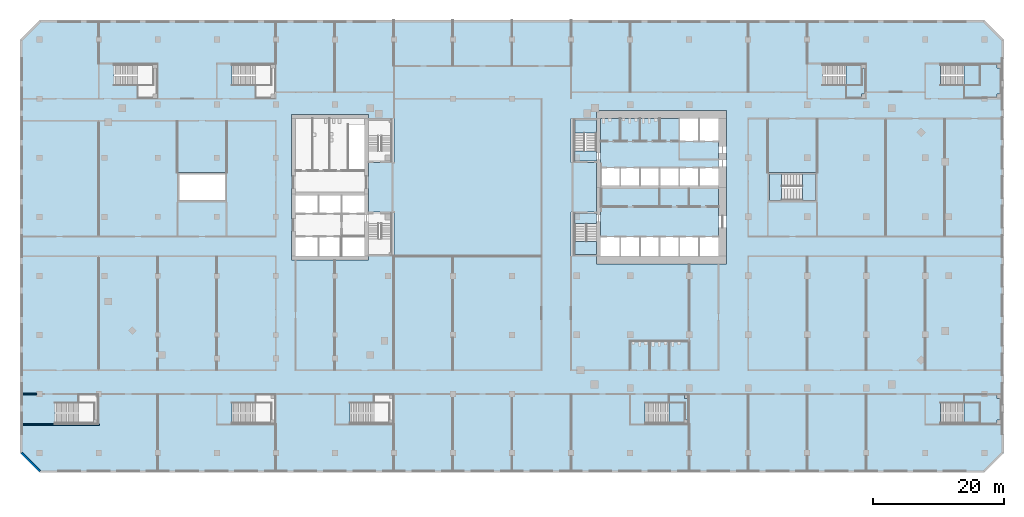
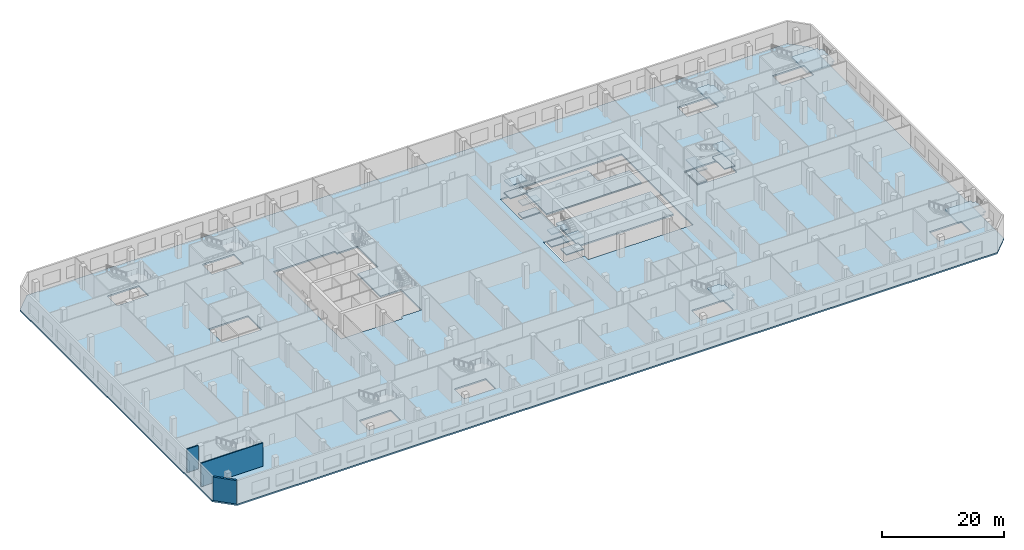
# One storey, part 3 of 21: 19 slabs, 3 walls, 7 elements without a shape of their own.
"""IFC4 building model written with IfcOpenShell, lengths in metres."""

from ifc_helpers import new_model, si_unit, direction, frame, frame_2d, origin, place, context, subcontext, project, spatial, polyline, rectangle, outline, extrude, material, layer, layer_set, type_object, element, aggregate, save


model = new_model("IFC4")

# Units and contexts
model_context = context("Model", 3, precision=1e-05, world=origin(), true_north=direction((0.0, 1.0)))
body_context = subcontext(model_context, "Body", "Model", "MODEL_VIEW")
ifc_project = project(units=[si_unit("LENGTHUNIT", "METRE"), si_unit("AREAUNIT", "SQUARE_METRE"), si_unit("VOLUMEUNIT", "CUBIC_METRE"), si_unit("PLANEANGLEUNIT", "RADIAN"), si_unit("MASSUNIT", "GRAM", prefix="KILO")], contexts=[model_context])

# Site, building, storey
site_placement = place(None, origin())
site = spatial("IfcSite", under=ifc_project, at=site_placement, CompositionType="ELEMENT")
building_placement = place(site_placement, origin())
building = spatial("IfcBuilding", under=site, at=building_placement, Name="Cinnabar Reach Civic Tower", CompositionType="ELEMENT")
storey_placement = place(building_placement, frame((0.0, 0.0, 11.0)))
storey = spatial("IfcBuildingStorey", under=building, at=storey_placement, Name="L02", CompositionType="ELEMENT", Elevation=11.0)

# Stair, slab
ifc_material_1 = material(Name="Concrete C35", Category="concrete")
stair_type_1 = type_object("IfcStairType", Name="Podium exit stair 1500", PredefinedType="HALF_TURN_STAIR", material=ifc_material_1)
stair_1_placement = place(storey_placement, origin())
stair_1 = element("IfcStair", 1, at=stair_1_placement, inside=storey, type_object=stair_type_1, Name="Stair PS3", PredefinedType="HALF_TURN_STAIR")
ifc_material_2 = material(Name="Concrete C35/45", Category="concrete")
ifc_layer_1 = layer(ifc_material_2, 0.25)
ifc_layer_set_1 = layer_set([ifc_layer_1], Name="Podium exit stair landing 250")
slab_type_1 = type_object("IfcSlabType", Name="Podium exit stair landing 250", PredefinedType="LANDING", material=ifc_layer_set_1)
slab_1_placement = place(storey_placement, frame((0.0, 0.0, 2.25)))
slab_1 = element("IfcSlab", 2, at=slab_1_placement, type_object=slab_type_1, Name="PS3 landing 1", PredefinedType="LANDING", context=body_context, shape_type="SweptSolid", body=[
    extrude(outline(polyline([(17.9, -3.95), (17.3, -3.95), (17.3, -4.55), (14.93, -4.55), (14.93, -0.1), (17.3, -0.1), (17.3, -0.7), (17.9, -0.7), (17.9, -3.95)])), origin(), (0.0, 0.0, 1.0), 0.25),
])
aggregate(stair_1, [slab_1])

stair_2_placement = place(storey_placement, origin())
stair_2 = element("IfcStair", 3, at=stair_2_placement, inside=storey, type_object=stair_type_1, Name="Stair PS4", PredefinedType="HALF_TURN_STAIR")
slab_2_placement = place(storey_placement, frame((0.0, 0.0, 2.25)))
slab_2 = element("IfcSlab", 4, at=slab_2_placement, type_object=slab_type_1, Name="PS4 landing 1", PredefinedType="LANDING", context=body_context, shape_type="SweptSolid", body=[
    extrude(outline(polyline([(65.5, -3.95), (64.9, -3.95), (64.9, -4.55), (59.93, -4.55), (59.93, -0.1), (64.9, -0.1), (64.9, -0.7), (65.5, -0.7), (65.5, -3.95)])), origin(), (0.0, 0.0, 1.0), 0.25),
])
aggregate(stair_2, [slab_2])

stair_3_placement = place(storey_placement, origin())
stair_3 = element("IfcStair", 5, at=stair_3_placement, inside=storey, type_object=stair_type_1, Name="Stair PS5", PredefinedType="HALF_TURN_STAIR")
slab_3_placement = place(storey_placement, frame((0.0, 0.0, 2.25)))
slab_3 = element("IfcSlab", 6, at=slab_3_placement, type_object=slab_type_1, Name="PS5 landing 1", PredefinedType="LANDING", context=body_context, shape_type="SweptSolid", body=[
    extrude(outline(polyline([(65.5, 45.7), (64.9, 45.7), (64.9, 45.1), (59.93, 45.1), (59.93, 50.25), (64.9, 50.25), (64.9, 49.65), (65.5, 49.65), (65.5, 45.7)])), origin(), (0.0, 0.0, 1.0), 0.25),
])
aggregate(stair_3, [slab_3])

stair_4_placement = place(storey_placement, origin())
stair_4 = element("IfcStair", 7, at=stair_4_placement, inside=storey, type_object=stair_type_1, Name="Stair PS6", PredefinedType="HALF_TURN_STAIR")
slab_4_placement = place(storey_placement, frame((0.0, 0.0, 2.25)))
slab_4 = element("IfcSlab", 8, at=slab_4_placement, type_object=slab_type_1, Name="PS6 landing 1", PredefinedType="LANDING", context=body_context, shape_type="SweptSolid", body=[
    extrude(outline(polyline([(44.9, 45.7), (44.3, 45.7), (44.3, 45.1), (41.93, 45.1), (41.93, 50.25), (44.3, 50.25), (44.3, 49.65), (44.9, 49.65), (44.9, 45.7)])), origin(), (0.0, 0.0, 1.0), 0.25),
])
aggregate(stair_4, [slab_4])

# Slab
ifc_material_3 = material(Name="Concrete C40", Category="concrete")
ifc_layer_2 = layer(ifc_material_3, 0.3)
ifc_layer_set_2 = layer_set([ifc_layer_2], Name="Podium flat plate 300 REI 150")
slab_type_2 = type_object("IfcSlabType", Name="Podium flat plate 300 REI 150", PredefinedType="FLOOR", material=ifc_layer_set_2)
slab_5_placement = place(storey_placement, frame((0.0, 0.0, -0.3)))
element("IfcSlab", 9, at=slab_5_placement, inside=storey, type_object=slab_type_2, Name="Podium flat plate 300 L02", PredefinedType="FLOOR", context=body_context, shape_type="SweptSolid", body=[
    extrude(outline(polyline([(-84.0, -9.0), (-84.0, 54.0), (-81.0, 57.0), (63.0, 57.0), (66.0, 54.0), (66.0, -9.0), (63.0, -12.0), (-81.0, -12.0), (-84.0, -9.0)]), holes=[polyline([(-78.7, -1.3), (-78.7, -4.5), (-72.7, -4.5), (-72.7, -1.3), (-78.7, -1.3)]), polyline([(-45.7, -1.3), (-51.7, -1.3), (-51.7, -4.5), (-45.7, -4.5), (-45.7, -1.3)]), polyline([(-27.7, -1.3), (-33.7, -1.3), (-33.7, -4.5), (-27.7, -4.5), (-27.7, -1.3)]), polyline([(-60.0, 33.75), (-60.0, 29.25), (-52.5, 29.25), (-52.5, 33.75), (-60.0, 33.75)]), polyline([(-42.6, 20.4), (-30.9, 20.4), (-30.9, 21.0), (-27.0, 21.0), (-27.0, 27.75), (-30.9, 27.75), (-30.9, 35.25), (-27.0, 35.25), (-27.0, 42.0), (-30.9, 42.0), (-30.9, 42.6), (-42.6, 42.6), (-42.6, 20.4)]), polyline([(-63.7, 50.2), (-69.7, 50.2), (-69.7, 47.0), (-63.7, 47.0), (-63.7, 50.2)]), polyline([(-51.7, 50.2), (-51.7, 47.0), (-45.7, 47.0), (-45.7, 50.2), (-51.7, 50.2)]), polyline([(17.3, -1.3), (11.3, -1.3), (11.3, -4.5), (17.3, -4.5), (17.3, -1.3)]), polyline([(62.3, -1.3), (56.3, -1.3), (56.3, -4.5), (62.3, -4.5), (62.3, -1.3)]), polyline([(3.9, 42.0), (0.0, 42.0), (0.0, 35.25), (3.9, 35.25), (3.9, 27.75), (0.0, 27.75), (0.0, 21.0), (3.9, 21.0), (3.9, 19.8), (23.7, 19.8), (23.7, 43.2), (3.9, 43.2), (3.9, 42.0)]), polyline([(37.5, 33.75), (30.0, 33.75), (30.0, 29.25), (37.5, 29.25), (37.5, 33.75)]), polyline([(44.3, 47.0), (44.3, 50.2), (38.3, 50.2), (38.3, 47.0), (44.3, 47.0)]), polyline([(62.3, 47.0), (62.3, 50.2), (56.3, 50.2), (56.3, 47.0), (62.3, 47.0)])]), origin(), (0.0, 0.0, 1.0), 0.3),
])

# Stair, slabs
ifc_material_4 = material(Name="Concrete C40/50", Category="concrete")
stair_type_2 = type_object("IfcStairType", Name="T1 Exit stair, double return", PredefinedType="DOUBLE_RETURN_STAIR", material=ifc_material_4)
stair_5_placement = place(storey_placement, origin())
stair_5 = element("IfcStair", 10, at=stair_5_placement, inside=storey, type_object=stair_type_2, Name="Stair T1-S1", PredefinedType="DOUBLE_RETURN_STAIR")
ifc_layer_3 = layer(ifc_material_4, 0.2)
ifc_layer_set_3 = layer_set([ifc_layer_3], Name="T1 Stair landing 200, Concrete C40/50")
slab_type_3 = type_object("IfcSlabType", Name="T1 Stair landing 200, Concrete C40/50", PredefinedType="LANDING", material=ifc_layer_set_3)
slab_6_placement = place(storey_placement, frame((0.0, 0.0, -0.2)))
slab_6 = element("IfcSlab", 11, at=slab_6_placement, type_object=slab_type_3, Name="T1-S1 landing 1", PredefinedType="LANDING", context=body_context, shape_type="SweptSolid", body=[
    extrude(outline(polyline([(3.9, 25.95), (3.9, 27.5), (0.5, 27.5), (0.5, 25.95), (3.9, 25.95)])), origin(), (0.0, 0.0, 1.0), 0.2),
])
slab_7_placement = place(storey_placement, frame((0.0, 0.0, 1.05)))
slab_7 = element("IfcSlab", 12, at=slab_7_placement, type_object=slab_type_3, Name="T1-S1 landing 2", PredefinedType="LANDING", context=body_context, shape_type="SweptSolid", body=[
    extrude(outline(polyline([(3.9, 21.25), (3.9, 23.205), (0.6, 23.205), (0.6, 21.25), (3.9, 21.25)])), origin(), (0.0, 0.0, 1.0), 0.2),
])
slab_8_placement = place(storey_placement, frame((0.0, 0.0, 2.3)))
slab_8 = element("IfcSlab", 13, at=slab_8_placement, type_object=slab_type_3, Name="T1-S1 landing 3", PredefinedType="LANDING", context=body_context, shape_type="SweptSolid", body=[
    extrude(outline(polyline([(3.9, 25.95), (3.9, 27.5), (0.5, 27.5), (0.5, 25.95), (3.9, 25.95)])), origin(), (0.0, 0.0, 1.0), 0.2),
])
slab_9_placement = place(storey_placement, frame((0.0, 0.0, 3.55)))
slab_9 = element("IfcSlab", 14, at=slab_9_placement, type_object=slab_type_3, Name="T1-S1 landing 4", PredefinedType="LANDING", context=body_context, shape_type="SweptSolid", body=[
    extrude(outline(polyline([(3.9, 21.25), (3.9, 23.205), (0.6, 23.205), (0.6, 21.25), (3.9, 21.25)])), origin(), (0.0, 0.0, 1.0), 0.2),
])
aggregate(stair_5, [slab_6, slab_7, slab_8, slab_9])

stair_6_placement = place(storey_placement, origin())
stair_6 = element("IfcStair", 15, at=stair_6_placement, inside=storey, type_object=stair_type_2, Name="Stair T1-S2", PredefinedType="DOUBLE_RETURN_STAIR")
slab_10_placement = place(storey_placement, frame((0.0, 0.0, -0.2)))
slab_10 = element("IfcSlab", 16, at=slab_10_placement, type_object=slab_type_3, Name="T1-S2 landing 1", PredefinedType="LANDING", context=body_context, shape_type="SweptSolid", body=[
    extrude(outline(polyline([(3.9, 35.5), (3.9, 37.05), (0.5, 37.05), (0.5, 35.5), (3.9, 35.5)])), origin(), (0.0, 0.0, 1.0), 0.2),
])
slab_11_placement = place(storey_placement, frame((0.0, 0.0, 1.05)))
slab_11 = element("IfcSlab", 17, at=slab_11_placement, type_object=slab_type_3, Name="T1-S2 landing 2", PredefinedType="LANDING", context=body_context, shape_type="SweptSolid", body=[
    extrude(outline(polyline([(3.9, 39.795), (3.9, 41.75), (0.6, 41.75), (0.6, 39.795), (3.9, 39.795)])), origin(), (0.0, 0.0, 1.0), 0.2),
])
slab_12_placement = place(storey_placement, frame((0.0, 0.0, 2.3)))
slab_12 = element("IfcSlab", 18, at=slab_12_placement, type_object=slab_type_3, Name="T1-S2 landing 3", PredefinedType="LANDING", context=body_context, shape_type="SweptSolid", body=[
    extrude(outline(polyline([(3.9, 35.5), (3.9, 37.05), (0.5, 37.05), (0.5, 35.5), (3.9, 35.5)])), origin(), (0.0, 0.0, 1.0), 0.2),
])
slab_13_placement = place(storey_placement, frame((0.0, 0.0, 3.55)))
slab_13 = element("IfcSlab", 19, at=slab_13_placement, type_object=slab_type_3, Name="T1-S2 landing 4", PredefinedType="LANDING", context=body_context, shape_type="SweptSolid", body=[
    extrude(outline(polyline([(3.9, 39.795), (3.9, 41.75), (0.6, 41.75), (0.6, 39.795), (3.9, 39.795)])), origin(), (0.0, 0.0, 1.0), 0.2),
])
aggregate(stair_6, [slab_10, slab_11, slab_12, slab_13])

stair_7_placement = place(storey_placement, origin())
stair_7 = element("IfcStair", 20, at=stair_7_placement, inside=storey, type_object=stair_type_2, Name="Stair T1-S3", PredefinedType="DOUBLE_RETURN_STAIR")
slab_14_placement = place(storey_placement, frame((0.0, 0.0, -0.2)))
slab_14 = element("IfcSlab", 21, at=slab_14_placement, type_object=slab_type_3, Name="T1-S3 landing 1", PredefinedType="LANDING", context=body_context, shape_type="SweptSolid", body=[
    extrude(outline(polyline([(30.25, 29.5), (32.05, 29.5), (32.05, 33.5), (30.25, 33.5), (30.25, 29.5)])), origin(), (0.0, 0.0, 1.0), 0.2),
])
slab_15_placement = place(storey_placement, frame((0.0, 0.0, 1.05)))
slab_15 = element("IfcSlab", 22, at=slab_15_placement, type_object=slab_type_3, Name="T1-S3 landing 2", PredefinedType="LANDING", context=body_context, shape_type="SweptSolid", body=[
    extrude(outline(polyline([(35.29, 29.5), (37.25, 29.5), (37.25, 33.5), (35.29, 33.5), (35.29, 29.5)])), origin(), (0.0, 0.0, 1.0), 0.2),
])
slab_16_placement = place(storey_placement, frame((0.0, 0.0, 2.3)))
slab_16 = element("IfcSlab", 23, at=slab_16_placement, type_object=slab_type_3, Name="T1-S3 landing 3", PredefinedType="LANDING", context=body_context, shape_type="SweptSolid", body=[
    extrude(outline(polyline([(30.25, 29.5), (32.05, 29.5), (32.05, 33.5), (30.25, 33.5), (30.25, 29.5)])), origin(), (0.0, 0.0, 1.0), 0.2),
])
slab_17_placement = place(storey_placement, frame((0.0, 0.0, 3.55)))
slab_17 = element("IfcSlab", 24, at=slab_17_placement, type_object=slab_type_3, Name="T1-S3 landing 4", PredefinedType="LANDING", context=body_context, shape_type="SweptSolid", body=[
    extrude(outline(polyline([(35.29, 29.5), (37.25, 29.5), (37.25, 33.5), (35.29, 33.5), (35.29, 29.5)])), origin(), (0.0, 0.0, 1.0), 0.2),
])
aggregate(stair_7, [slab_14, slab_15, slab_16, slab_17])

# Slabs
ifc_layer_4 = layer(ifc_material_4, 0.3)
ifc_layer_set_4 = layer_set([ifc_layer_4], Name="T1 core floor slab 300")
slab_type_4 = type_object("IfcSlabType", Name="T1 core floor slab 300", PredefinedType="FLOOR", material=ifc_layer_set_4)
slab_18_placement = place(storey_placement, frame((0.0, 0.0, -0.3)))
element("IfcSlab", 25, at=slab_18_placement, inside=storey, type_object=slab_type_4, Name="Core floor slab L02", PredefinedType="FLOOR", context=body_context, shape_type="SweptSolid", body=[
    extrude(outline(polyline([(22.5, 24.0), (19.5, 24.0), (16.5, 24.0), (13.5, 24.0), (10.5, 24.0), (7.5, 24.0), (4.5, 24.0), (4.5, 31.5), (7.5, 31.5), (10.5, 31.5), (13.5, 31.5), (16.5, 31.5), (19.5, 31.5), (22.5, 31.5), (22.5, 24.0)])), origin(), (0.0, 0.0, 1.0), 0.3),
])
slab_19_placement = place(storey_placement, frame((0.0, 0.0, -0.3)))
element("IfcSlab", 26, at=slab_19_placement, inside=storey, type_object=slab_type_4, Name="Core floor slab L02", PredefinedType="FLOOR", context=body_context, shape_type="SweptSolid", body=[
    extrude(outline(polyline([(22.5, 34.5), (19.5, 34.5), (16.5, 34.5), (13.5, 34.5), (10.5, 34.5), (7.5, 34.5), (4.5, 34.5), (4.5, 42.0), (16.5, 42.0), (16.5, 38.5), (19.5, 38.5), (22.5, 38.5), (22.5, 34.5)])), origin(), (0.0, 0.0, 1.0), 0.3),
])

# Walls
ifc_material_5 = material(Name="Facing brick with insulated backing", Category="masonry")
ifc_layer_5 = layer(ifc_material_5, 0.36)
ifc_layer_set_5 = layer_set([ifc_layer_5], Name="Brick corner wall")
wall_type_1 = type_object("IfcWallType", Name="Brick corner wall", PredefinedType="STANDARD", material=ifc_layer_set_5)
wall_1_placement = place(storey_placement, frame((-83.7843, -8.9611, 0.0), z_axis=(0.0, 0.0, 1.0), x_axis=(0.707106781187, -0.707106781187, 0.0)))
element("IfcWall", 27, at=wall_1_placement, inside=storey, type_object=wall_type_1, Name="Brick corner wall", PredefinedType="STANDARD", context=body_context, shape_type="SweptSolid", body=[
    extrude(rectangle(XDim=3.9926, YDim=0.36, at=frame_2d((1.9963, 0.0))), origin(), (0.0, 0.0, 1.0), 4.7),
])
ifc_layer_6 = layer(ifc_material_3, 0.2)
ifc_layer_set_6 = layer_set([ifc_layer_6], Name="Podium stair shaft wall 200 EI 120")
wall_type_2 = type_object("IfcWallType", Name="Podium stair shaft wall 200 EI 120", PredefinedType="SOLIDWALL", material=ifc_layer_set_6)
wall_2_placement = place(storey_placement, frame((-83.6, 0.0, 0.0), z_axis=(0.0, 0.0, 1.0), x_axis=(1.0, 0.0, 0.0)))
element("IfcWall", 28, at=wall_2_placement, inside=storey, type_object=wall_type_2, Name="Wall L02 1", PredefinedType="SOLIDWALL", context=body_context, shape_type="SweptSolid", body=[
    extrude(rectangle(XDim=2.13, YDim=0.2, at=frame_2d((1.065, 0.0))), origin(), (0.0, 0.0, 1.0), 4.7),
])
wall_3_placement = place(storey_placement, frame((-83.6, -4.65, 0.0), z_axis=(0.0, 0.0, 1.0), x_axis=(1.0, 0.0, 0.0)))
element("IfcWall", 29, at=wall_3_placement, inside=storey, type_object=wall_type_2, Name="Wall L02 4", PredefinedType="SOLIDWALL", context=body_context, shape_type="SweptSolid", body=[
    extrude(rectangle(XDim=11.7, YDim=0.2, at=frame_2d((5.85, 0.0))), origin(), (0.0, 0.0, 1.0), 4.7),
])

save(model, "model.ifc")
